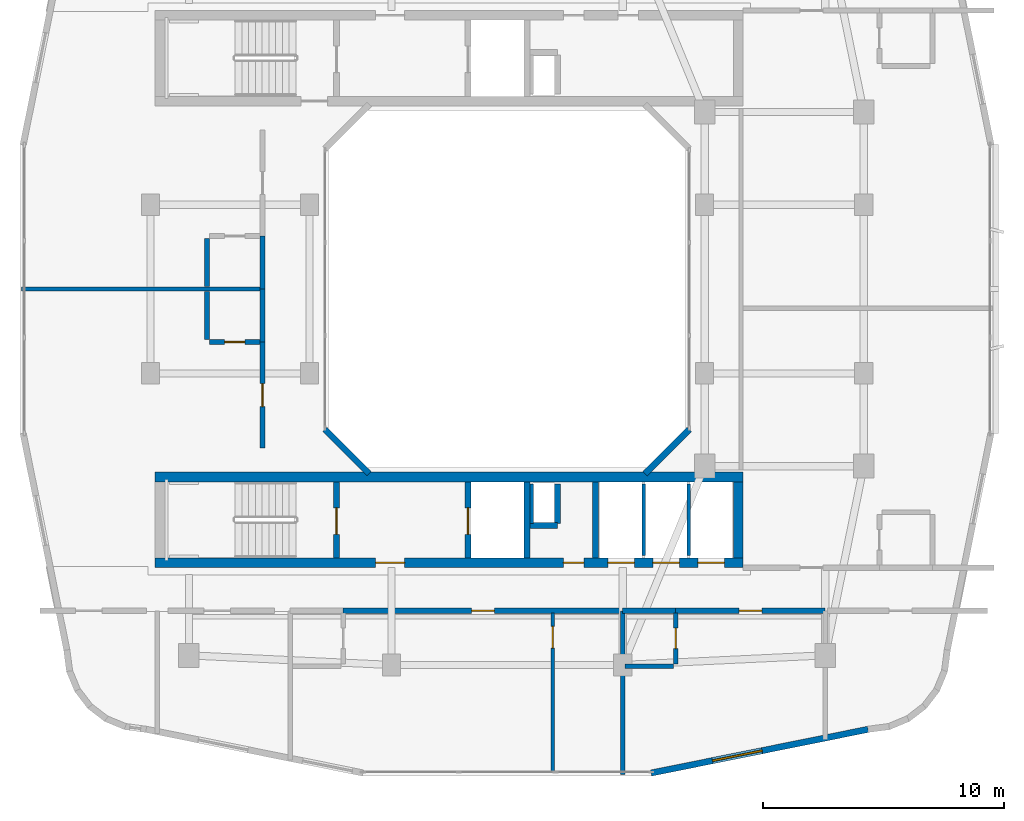
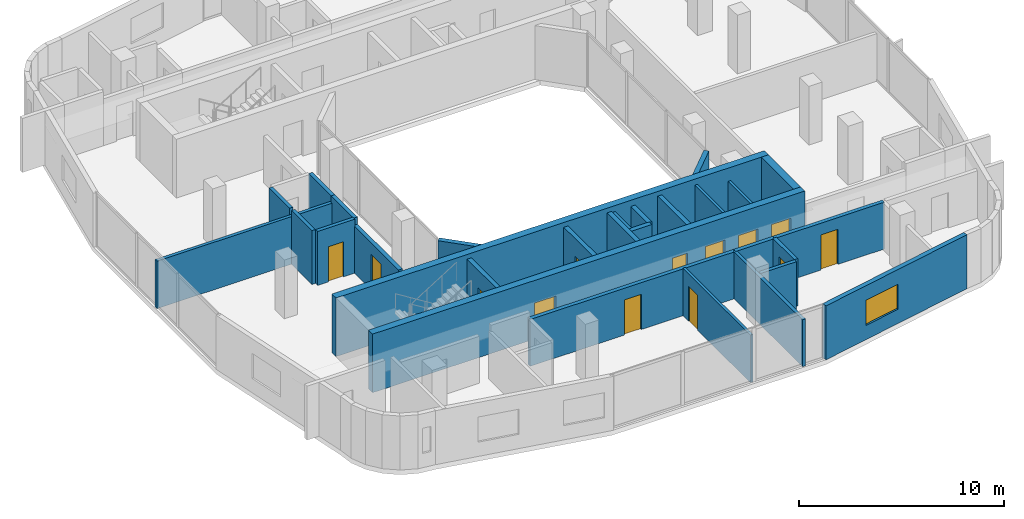
# One storey, part 7 of 14: 29 walls, 13 doors, 1 window, 14 openings.
"""IFC4 building model written with IfcOpenShell, lengths in metres."""

from ifc_helpers import new_model, si_unit, derived_unit, direction, frame, frame_2d, origin, place, context, subcontext, project, spatial, rectangle, extrude, material, layer, layer_set, type_object, element, fill, save


model = new_model("IFC4")

# Units and contexts
model_context = context("Model", 3, precision=1e-05, world=origin(), true_north=direction((0.0, 1.0)))
body_context = subcontext(model_context, "Body", "Model", "MODEL_VIEW")
ifc_project = project(units=[si_unit("LENGTHUNIT", "METRE"), si_unit("AREAUNIT", "SQUARE_METRE"), si_unit("VOLUMEUNIT", "CUBIC_METRE"), si_unit("PLANEANGLEUNIT", "RADIAN"), si_unit("MASSUNIT", "GRAM", prefix="KILO"), derived_unit("THERMALTRANSMITTANCEUNIT", [(si_unit("POWERUNIT", "WATT"), 1), (si_unit("LENGTHUNIT", "METRE"), -2), (si_unit("THERMODYNAMICTEMPERATUREUNIT", "KELVIN"), -1)])], contexts=[model_context])

# Site, building, storey
site_placement = place(None, origin())
site = spatial("IfcSite", under=ifc_project, at=site_placement, CompositionType="ELEMENT")
building_placement = place(site_placement, origin())
building = spatial("IfcBuilding", under=site, at=building_placement, Name="Kivonza Crest Hotel", CompositionType="ELEMENT")
storey_placement = place(building_placement, frame((0.0, 0.0, 159.0)))
storey = spatial("IfcBuildingStorey", under=building, at=storey_placement, Name="L43", CompositionType="ELEMENT", Elevation=159.0)

# Walls
ifc_material_1 = material(Name="High-density acoustic masonry inter-tenancy wall", Category="masonry")
ifc_layer_1 = layer(ifc_material_1, 0.179931640625)
ifc_layer_set_1 = layer_set([ifc_layer_1], Name="High-density acoustic masonry inter-tenancy wall")
wall_type_1 = type_object("IfcWallType", Name="WL-ACOU-180", PredefinedType="SOLIDWALL", material=ifc_layer_set_1)
wall_1_placement = place(storey_placement, frame((25.800048828125, 4.860107421875, 0.0), z_axis=(0.0, 0.0, 1.0), x_axis=(0.0, 1.0, 0.0)))
element("IfcWall", 1, at=wall_1_placement, inside=storey, type_object=wall_type_1, Name="L43 interior partition WA-L43-T1S-DIV2", PredefinedType="SOLIDWALL", context=body_context, shape_type="SweptSolid", body=[
    extrude(rectangle(XDim=6.789794921875, YDim=0.179931640625, at=frame_2d((3.39501953125, 0.0))), origin(), (0.0, 0.0, 1.0), 2.794921875),
])
wall_2_placement = place(storey_placement, frame((0.860107421875, 25.0, 0.0), z_axis=(0.0, 0.0, 1.0), x_axis=(1.0, 0.0, 0.0)))
element("IfcWall", 2, at=wall_2_placement, inside=storey, type_object=wall_type_1, Name="L43 interior partition WA-L43-T1W-DIV1", PredefinedType="SOLIDWALL", context=body_context, shape_type="SweptSolid", body=[
    extrude(rectangle(XDim=9.989990234375, YDim=0.179931640625, at=frame_2d((4.9951171875, 0.0))), origin(), (0.0, 0.0, 1.0), 2.8349609375),
])

# Wall, opening, door
ifc_material_2 = material(Name="Autoclaved aerated concrete blockwork", Category="masonry")
ifc_layer_2 = layer(ifc_material_2, 0.219970703125)
ifc_layer_set_2 = layer_set([ifc_layer_2], Name="Autoclaved aerated concrete blockwork")
wall_type_2 = type_object("IfcWallType", Name="WL-ACOU-220", PredefinedType="SOLIDWALL", material=ifc_layer_set_2)
wall_3_placement = place(storey_placement, frame((14.199951171875, 11.64990234375, 0.0), z_axis=(0.0, 0.0, 1.0), x_axis=(1.0, 0.0, 0.0)))
wall_3 = element("IfcWall", 3, at=wall_3_placement, inside=storey, type_object=wall_type_2, Name="L43 interior partition WA-L43-S05-MCORR", PredefinedType="SOLIDWALL", context=body_context, shape_type="SweptSolid", body=[
    extrude(rectangle(XDim=11.60009765625, YDim=0.219970703125, at=frame_2d((5.800048828125, 0.0))), origin(), (0.0, 0.0, 1.0), 2.794921875),
])
opening_1_placement = place(wall_3_placement, frame((5.324951171875, 0.0, 0.0)))
opening_1 = element("IfcOpeningElement", 4, at=opening_1_placement, cuts=wall_3, Name="Opening DU-60", PredefinedType="OPENING", context=body_context, shape_type="SweptSolid", body=[
    extrude(rectangle(XDim=0.949951171875, YDim=2.10009765625, at=frame_2d((0.47509765625, 1.050048828125))), frame((0.0, 0.1201171875, 0.0), z_axis=(0.0, -1.0, 0.0), x_axis=(1.0, 0.0, 0.0)), (0.0, 0.0, 1.0), 0.239990234375),
])
ifc_material_3 = material(Name="Hardwood timber oak", Category="wood")
door_type_1 = type_object("IfcDoorType", Name="DR-UNIT-950", OperationType="NOTDEFINED", PredefinedType="DOOR", material=ifc_material_3)
door_1_placement = place(opening_1_placement, frame((0.949951171875, 0.0, 0.0), z_axis=(0.0, 0.0, 1.0), x_axis=(-1.0, 0.0, 0.0)))
door_1 = element("IfcDoor", 5, at=door_1_placement, inside=storey, type_object=door_type_1, Name="L43 S05 guest unit entrance fire door", OperationType="SINGLE_SWING_LEFT", OverallHeight=2.10009765625, OverallWidth=0.949951171875, PredefinedType="DOOR", context=body_context, shape_type="SweptSolid", body=[
    extrude(rectangle(XDim=0.949951171875, YDim=2.10009765625, at=frame_2d((0.47509765625, 1.050048828125))), frame((0.0, 0.02490234375, 0.0), z_axis=(0.0, -1.0, 0.0), x_axis=(1.0, 0.0, 0.0)), (0.0, 0.0, 1.0), 0.050048828125),
])
fill(opening_1, door_1)

# Wall
wall_4_placement = place(storey_placement, frame((25.800048828125, 11.64990234375, 0.0), z_axis=(0.0, 0.0, 1.0), x_axis=(1.0, 0.0, 0.0)))
element("IfcWall", 6, at=wall_4_placement, inside=storey, type_object=wall_type_2, Name="L43 interior partition WA-L43-S06-BCORR", PredefinedType="SOLIDWALL", context=body_context, shape_type="SweptSolid", body=[
    extrude(rectangle(XDim=2.199951171875, YDim=0.219970703125, at=frame_2d((1.10009765625, 0.0))), origin(), (0.0, 0.0, 1.0), 2.794921875),
])

# Wall, opening, door
wall_5_placement = place(storey_placement, frame((28.0, 11.64990234375, 0.0), z_axis=(0.0, 0.0, 1.0), x_axis=(1.0, 0.0, 0.0)))
wall_5 = element("IfcWall", 7, at=wall_5_placement, inside=storey, type_object=wall_type_2, Name="L43 interior partition WA-L43-S06-MCORR", PredefinedType="SOLIDWALL", context=body_context, shape_type="SweptSolid", body=[
    extrude(rectangle(XDim=6.199951171875, YDim=0.219970703125, at=frame_2d((3.10009765625, 0.0))), origin(), (0.0, 0.0, 1.0), 2.794921875),
])
opening_2_placement = place(wall_5_placement, frame((2.625, 0.0, 0.0)))
opening_2 = element("IfcOpeningElement", 8, at=opening_2_placement, cuts=wall_5, Name="Opening DU-60", PredefinedType="OPENING", context=body_context, shape_type="SweptSolid", body=[
    extrude(rectangle(XDim=0.949951171875, YDim=2.10009765625, at=frame_2d((0.47509765625, 1.050048828125))), frame((0.0, 0.1201171875, 0.0), z_axis=(0.0, -1.0, 0.0), x_axis=(1.0, 0.0, 0.0)), (0.0, 0.0, 1.0), 0.239990234375),
])
door_2_placement = place(opening_2_placement, frame((0.949951171875, 0.0, 0.0), z_axis=(0.0, 0.0, 1.0), x_axis=(-1.0, 0.0, 0.0)))
door_2 = element("IfcDoor", 9, at=door_2_placement, inside=storey, type_object=door_type_1, Name="L43 S06 guest unit entrance fire door", OperationType="SINGLE_SWING_RIGHT", OverallHeight=2.10009765625, OverallWidth=0.949951171875, PredefinedType="DOOR", context=body_context, shape_type="SweptSolid", body=[
    extrude(rectangle(XDim=0.949951171875, YDim=2.10009765625, at=frame_2d((0.47509765625, 1.050048828125))), frame((0.0, 0.02490234375, 0.0), z_axis=(0.0, -1.0, 0.0), x_axis=(1.0, 0.0, 0.0)), (0.0, 0.0, 1.0), 0.050048828125),
])
fill(opening_2, door_2)

# Wall
wall_6_placement = place(storey_placement, frame((10.85009765625, 22.800048828125, 0.0), z_axis=(0.0, 0.0, 1.0), x_axis=(0.0, 1.0, 0.0)))
element("IfcWall", 10, at=wall_6_placement, inside=storey, type_object=wall_type_2, Name="L43 interior partition WA-L43-W07-BCORR", PredefinedType="SOLIDWALL", context=body_context, shape_type="SweptSolid", body=[
    extrude(rectangle(XDim=2.199951171875, YDim=0.219970703125, at=frame_2d((1.10009765625, 0.0))), origin(), (0.0, 0.0, 1.0), 3.219970703125),
])

# Wall, opening, door
wall_7_placement = place(storey_placement, frame((10.85009765625, 18.39990234375, 0.0), z_axis=(0.0, 0.0, 1.0), x_axis=(0.0, 1.0, 0.0)))
wall_7 = element("IfcWall", 11, at=wall_7_placement, inside=storey, type_object=wall_type_2, Name="L43 interior partition WA-L43-W07-MCORR", PredefinedType="SOLIDWALL", context=body_context, shape_type="SweptSolid", body=[
    extrude(rectangle(XDim=4.400146484375, YDim=0.219970703125, at=frame_2d((2.2001953125, 0.0))), origin(), (0.0, 0.0, 1.0), 2.794921875),
])
opening_3_placement = place(wall_7_placement, frame((1.72509765625, 0.0, 0.0)))
opening_3 = element("IfcOpeningElement", 12, at=opening_3_placement, cuts=wall_7, Name="Opening DU-60", PredefinedType="OPENING", context=body_context, shape_type="SweptSolid", body=[
    extrude(rectangle(XDim=0.949951171875, YDim=2.10009765625, at=frame_2d((0.47509765625, 1.050048828125))), frame((0.0, 0.1201171875, 0.0), z_axis=(0.0, -1.0, 0.0), x_axis=(1.0, 0.0, 0.0)), (0.0, 0.0, 1.0), 0.239990234375),
])
door_3_placement = place(opening_3_placement, origin())
door_3 = element("IfcDoor", 13, at=door_3_placement, inside=storey, type_object=door_type_1, Name="L43 W07 guest unit entrance fire door", OperationType="SINGLE_SWING_LEFT", OverallHeight=2.10009765625, OverallWidth=0.949951171875, PredefinedType="DOOR", context=body_context, shape_type="SweptSolid", body=[
    extrude(rectangle(XDim=0.949951171875, YDim=2.10009765625, at=frame_2d((0.47509765625, 1.050048828125))), frame((0.0, 0.02490234375, 0.0), z_axis=(0.0, -1.0, 0.0), x_axis=(1.0, 0.0, 0.0)), (0.0, 0.0, 1.0), 0.050048828125),
])
fill(opening_3, door_3)

# Wall
wall_8_placement = place(storey_placement, frame((10.85009765625, 25.0, 0.0), z_axis=(0.0, 0.0, 1.0), x_axis=(0.0, 1.0, 0.0)))
element("IfcWall", 14, at=wall_8_placement, inside=storey, type_object=wall_type_2, Name="L43 interior partition WA-L43-W08-BCORR", PredefinedType="SOLIDWALL", context=body_context, shape_type="SweptSolid", body=[
    extrude(rectangle(XDim=2.199951171875, YDim=0.219970703125, at=frame_2d((1.10009765625, 0.0))), origin(), (0.0, 0.0, 1.0), 3.219970703125),
])

# Wall, openings, doors
ifc_material_4 = material(Name="Concrete C50/60", Category="concrete")
ifc_layer_3 = layer(ifc_material_4, 0.39990234375)
ifc_layer_set_3 = layer_set([ifc_layer_3], Name="Concrete C50/60")
wall_type_3 = type_object("IfcWallType", Name="WL-CORE-400", PredefinedType="SHEAR", material=ifc_layer_set_3)
wall_9_placement = place(storey_placement, frame((6.39990234375, 13.639892578125, 0.0), z_axis=(0.0, 0.0, 1.0), x_axis=(1.0, 0.0, 0.0)))
wall_9 = element("IfcWall", 15, at=wall_9_placement, inside=storey, type_object=wall_type_3, Name="Core wall T1-S South L43", PredefinedType="SHEAR", context=body_context, shape_type="SweptSolid", body=[
    extrude(rectangle(XDim=24.400146484375, YDim=0.39990234375, at=frame_2d((12.2001953125, 0.0))), origin(), (0.0, 0.0, 1.0), 3.5),
])
opening_4_placement = place(wall_9_placement, frame((9.14990234375, 0.0, 0.0)))
opening_4 = element("IfcOpeningElement", 16, at=opening_4_placement, cuts=wall_9, Name="Opening DF-60", PredefinedType="OPENING", context=body_context, shape_type="SweptSolid", body=[
    extrude(rectangle(XDim=1.199951171875, YDim=2.14990234375, at=frame_2d((0.60009765625, 1.074951171875))), frame((0.0, 0.2099609375, 0.0), z_axis=(0.0, -1.0, 0.0), x_axis=(1.0, 0.0, 0.0)), (0.0, 0.0, 1.0), 0.419921875),
])
opening_5_placement = place(wall_9_placement, frame((16.93994140625, 0.0, 0.0)))
opening_5 = element("IfcOpeningElement", 17, at=opening_5_placement, cuts=wall_9, Name="Opening DF-60R", PredefinedType="OPENING", context=body_context, shape_type="SweptSolid", body=[
    extrude(rectangle(XDim=0.85009765625, YDim=2.10009765625, at=frame_2d((0.425048828125, 1.050048828125))), frame((0.0, 0.2099609375, 0.0), z_axis=(0.0, -1.0, 0.0), x_axis=(1.0, 0.0, 0.0)), (0.0, 0.0, 1.0), 0.419921875),
])
opening_6_placement = place(wall_9_placement, frame((18.782958984375, 0.0, 0.0)))
opening_6 = element("IfcOpeningElement", 18, at=opening_6_placement, cuts=wall_9, Name="Opening LD-120", PredefinedType="OPENING", context=body_context, shape_type="SweptSolid", body=[
    extrude(rectangle(XDim=1.10009765625, YDim=2.14990234375, at=frame_2d((0.550048828125, 1.074951171875))), frame((0.0, 0.2099609375, 0.0), z_axis=(0.0, -1.0, 0.0), x_axis=(1.0, 0.0, 0.0)), (0.0, 0.0, 1.0), 0.419921875),
])
opening_7_placement = place(wall_9_placement, frame((20.64990234375, 0.0, 0.0)))
opening_7 = element("IfcOpeningElement", 19, at=opening_7_placement, cuts=wall_9, Name="Opening LD-120", PredefinedType="OPENING", context=body_context, shape_type="SweptSolid", body=[
    extrude(rectangle(XDim=1.10009765625, YDim=2.14990234375, at=frame_2d((0.550048828125, 1.074951171875))), frame((0.0, 0.2099609375, 0.0), z_axis=(0.0, -1.0, 0.0), x_axis=(1.0, 0.0, 0.0)), (0.0, 0.0, 1.0), 0.419921875),
])
opening_8_placement = place(wall_9_placement, frame((22.51708984375, 0.0, 0.0)))
opening_8 = element("IfcOpeningElement", 20, at=opening_8_placement, cuts=wall_9, Name="Opening LD-120", PredefinedType="OPENING", context=body_context, shape_type="SweptSolid", body=[
    extrude(rectangle(XDim=1.10009765625, YDim=2.14990234375, at=frame_2d((0.550048828125, 1.074951171875))), frame((0.0, 0.2099609375, 0.0), z_axis=(0.0, -1.0, 0.0), x_axis=(1.0, 0.0, 0.0)), (0.0, 0.0, 1.0), 0.419921875),
])
door_type_2 = type_object("IfcDoorType", Name="DR-FD60-1200", OperationType="NOTDEFINED", PredefinedType="DOOR", material=ifc_material_3)
door_4_placement = place(opening_4_placement, frame((1.199951171875, 0.0, 0.0), z_axis=(0.0, 0.0, 1.0), x_axis=(-1.0, 0.0, 0.0)))
door_4 = element("IfcDoor", 21, at=door_4_placement, inside=storey, type_object=door_type_2, Name="L43 T1-S firefighting lobby fire door", OperationType="SINGLE_SWING_LEFT", OverallHeight=2.14990234375, OverallWidth=1.199951171875, PredefinedType="DOOR", context=body_context, shape_type="SweptSolid", body=[
    extrude(rectangle(XDim=1.199951171875, YDim=2.14990234375, at=frame_2d((0.60009765625, 1.074951171875))), frame((0.0, 0.02490234375, 0.0), z_axis=(0.0, -1.0, 0.0), x_axis=(1.0, 0.0, 0.0)), (0.0, 0.0, 1.0), 0.050048828125),
])
fill(opening_4, door_4)
door_type_3 = type_object("IfcDoorType", Name="DR-FD60-850", OperationType="NOTDEFINED", PredefinedType="DOOR", material=ifc_material_3)
door_5_placement = place(opening_5_placement, frame((0.85009765625, 0.0, 0.0), z_axis=(0.0, 0.0, 1.0), x_axis=(-1.0, 0.0, 0.0)))
door_5 = element("IfcDoor", 22, at=door_5_placement, inside=storey, type_object=door_type_3, Name="L43 T1-S core room door", OperationType="SINGLE_SWING_RIGHT", OverallHeight=2.10009765625, OverallWidth=0.85009765625, PredefinedType="DOOR", context=body_context, shape_type="SweptSolid", body=[
    extrude(rectangle(XDim=0.85009765625, YDim=2.10009765625, at=frame_2d((0.425048828125, 1.050048828125))), frame((0.0, 0.02490234375, 0.0), z_axis=(0.0, -1.0, 0.0), x_axis=(1.0, 0.0, 0.0)), (0.0, 0.0, 1.0), 0.050048828125),
])
fill(opening_5, door_5)
ifc_material_5 = material(Name="Stainless steel", Category="steel")
door_type_4 = type_object("IfcDoorType", Name="DR-LD120-1100", OperationType="NOTDEFINED", PredefinedType="DOOR", material=ifc_material_5)
door_6_placement = place(opening_6_placement, frame((1.10009765625, 0.0, 0.0), z_axis=(0.0, 0.0, 1.0), x_axis=(-1.0, 0.0, 0.0)))
door_6 = element("IfcDoor", 23, at=door_6_placement, inside=storey, type_object=door_type_4, Name="L43 PL-T1-H1 passenger lift sliding landing door", OperationType="DOUBLE_DOOR_SLIDING", OverallHeight=2.14990234375, OverallWidth=1.10009765625, PredefinedType="DOOR", context=body_context, shape_type="SweptSolid", body=[
    extrude(rectangle(XDim=1.10009765625, YDim=2.14990234375, at=frame_2d((0.550048828125, 1.074951171875))), frame((0.0, 0.02490234375, 0.0), z_axis=(0.0, -1.0, 0.0), x_axis=(1.0, 0.0, 0.0)), (0.0, 0.0, 1.0), 0.050048828125),
])
fill(opening_6, door_6)
door_7_placement = place(opening_7_placement, frame((1.10009765625, 0.0, 0.0), z_axis=(0.0, 0.0, 1.0), x_axis=(-1.0, 0.0, 0.0)))
door_7 = element("IfcDoor", 24, at=door_7_placement, inside=storey, type_object=door_type_4, Name="L43 PL-T1-H2 passenger lift sliding landing door", OperationType="DOUBLE_DOOR_SLIDING", OverallHeight=2.14990234375, OverallWidth=1.10009765625, PredefinedType="DOOR", context=body_context, shape_type="SweptSolid", body=[
    extrude(rectangle(XDim=1.10009765625, YDim=2.14990234375, at=frame_2d((0.550048828125, 1.074951171875))), frame((0.0, 0.02490234375, 0.0), z_axis=(0.0, -1.0, 0.0), x_axis=(1.0, 0.0, 0.0)), (0.0, 0.0, 1.0), 0.050048828125),
])
fill(opening_7, door_7)
door_8_placement = place(opening_8_placement, frame((1.10009765625, 0.0, 0.0), z_axis=(0.0, 0.0, 1.0), x_axis=(-1.0, 0.0, 0.0)))
door_8 = element("IfcDoor", 25, at=door_8_placement, inside=storey, type_object=door_type_4, Name="L43 PL-T1-H3 passenger lift sliding landing door", OperationType="DOUBLE_DOOR_SLIDING", OverallHeight=2.14990234375, OverallWidth=1.10009765625, PredefinedType="DOOR", context=body_context, shape_type="SweptSolid", body=[
    extrude(rectangle(XDim=1.10009765625, YDim=2.14990234375, at=frame_2d((0.550048828125, 1.074951171875))), frame((0.0, 0.02490234375, 0.0), z_axis=(0.0, -1.0, 0.0), x_axis=(1.0, 0.0, 0.0)), (0.0, 0.0, 1.0), 0.050048828125),
])
fill(opening_8, door_8)

# Walls
wall_10_placement = place(storey_placement, frame((6.39990234375, 17.199951171875, 0.0), z_axis=(0.0, 0.0, 1.0), x_axis=(1.0, 0.0, 0.0)))
element("IfcWall", 26, at=wall_10_placement, inside=storey, type_object=wall_type_3, Name="Core wall T1-S North L43", PredefinedType="SHEAR", context=body_context, shape_type="SweptSolid", body=[
    extrude(rectangle(XDim=24.400146484375, YDim=0.39990234375, at=frame_2d((12.2001953125, 0.0))), origin(), (0.0, 0.0, 1.0), 3.5),
])
wall_11_placement = place(storey_placement, frame((30.60009765625, 13.840087890625, 0.0), z_axis=(0.0, 0.0, 1.0), x_axis=(0.0, 1.0, 0.0)))
element("IfcWall", 27, at=wall_11_placement, inside=storey, type_object=wall_type_3, Name="Core wall T1-S East L43", PredefinedType="SHEAR", context=body_context, shape_type="SweptSolid", body=[
    extrude(rectangle(XDim=3.159912109375, YDim=0.39990234375, at=frame_2d((1.580078125, 0.0))), origin(), (0.0, 0.0, 1.0), 3.5),
])

# Wall, opening, window
ifc_material_6 = material(Name="Precast concrete C40/50", Category="concrete")
ifc_layer_4 = layer(ifc_material_6, 0.260009765625)
ifc_layer_set_4 = layer_set([ifc_layer_4], Name="Precast concrete C40/50")
wall_type_4 = type_object("IfcWallType", Name="WL-EXT-260", PredefinedType="STANDARD", material=ifc_layer_set_4)
wall_12_placement = place(storey_placement, frame((26.97998046875, 4.916015625, 0.0), z_axis=(0.0, 0.0, 1.0), x_axis=(0.980315963543, 0.197435082048, 0.0)))
wall_12 = element("IfcWall", 28, at=wall_12_placement, inside=storey, type_object=wall_type_4, Name="L43 T1 exterior insulated wall 9", PredefinedType="STANDARD", context=body_context, shape_type="SweptSolid", body=[
    extrude(rectangle(XDim=9.1826171875, YDim=0.260009765625, at=frame_2d((4.59130859375, 0.0))), origin(), (0.0, 0.0, 1.0), 3.219970703125),
])
opening_9_placement = place(wall_12_placement, frame((2.594970703125, 0.0, 0.85009765625)))
opening_9 = element("IfcOpeningElement", 29, at=opening_9_placement, cuts=wall_12, Name="Opening WN-04", PredefinedType="OPENING", context=body_context, shape_type="SweptSolid", body=[
    extrude(rectangle(XDim=2.10009765625, YDim=1.5, at=frame_2d((1.050048828125, 0.75))), frame((0.0, 0.14013671875, 0.0), z_axis=(0.0, -1.0, 0.0), x_axis=(1.0, 0.0, 0.0)), (0.0, 0.0, 1.0), 0.280029296875),
])
ifc_material_7 = material(Name="Thermally broken bronze aluminium and low-E double glazing", Category="aluminium")
window_type = type_object("IfcWindowType", Name="WN-210x150", PartitioningType="DOUBLE_PANEL_VERTICAL", PredefinedType="WINDOW", material=ifc_material_7)
window_placement = place(opening_9_placement, origin())
window = element("IfcWindow", 30, at=window_placement, inside=storey, type_object=window_type, Name="L43 T1 facade window 9", OverallHeight=1.5, OverallWidth=2.10009765625, PartitioningType="SINGLE_PANEL", PredefinedType="WINDOW", context=body_context, shape_type="SweptSolid", body=[
    extrude(rectangle(XDim=2.10009765625, YDim=1.5, at=frame_2d((1.050048828125, 0.75))), frame((0.0, 0.030029296875, 0.0), z_axis=(0.0, -1.0, 0.0), x_axis=(1.0, 0.0, 0.0)), (0.0, 0.0, 1.0), 0.06005859375),
])
fill(opening_9, window)

# Walls
for number, where, z_axis, x_axis, name in (
    (31, (26.721923828125, 17.337890625, 0.0), (0.0, 0.0, 1.0), (0.707059717605, 0.707153841636, 0.0), "L43 T1 light-well exterior wall 2"),
    (32, (13.444091796875, 19.172119140625, 0.0), (0.0, 0.0, 1.0), (0.707059717605, -0.707153841636, 0.0), "L43 T1 light-well exterior wall 8"),
):
    element("IfcWall", number, at=place(storey_placement, frame(where, z_axis=z_axis, x_axis=x_axis)), inside=storey, type_object=wall_type_4, Name=name, PredefinedType="STANDARD", context=body_context, shape_type="SweptSolid", body=[
        extrude(rectangle(XDim=2.59375, YDim=0.260009765625, at=frame_2d((1.296875, 0.0))), origin(), (0.0, 0.0, 1.0), 3.219970703125),
    ])
ifc_material_8 = material(Name="Concrete blockwork fire-compartment wall", Category="masonry")
ifc_layer_5 = layer(ifc_material_8, 0.25)
ifc_layer_set_5 = layer_set([ifc_layer_5], Name="Concrete blockwork fire-compartment wall")
wall_type_5 = type_object("IfcWallType", Name="WL-FIRE-250", PredefinedType="SOLIDWALL", material=ifc_layer_set_5)
wall_13_placement = place(storey_placement, frame((23.10009765625, 15.280029296875, 0.0), z_axis=(0.0, 0.0, 1.0), x_axis=(0.0, 1.0, 0.0)))
element("IfcWall", 33, at=wall_13_placement, inside=storey, type_object=wall_type_5, Name="L43 interior partition WA-L43-T1-S-MEPR-E", PredefinedType="SOLIDWALL", context=body_context, shape_type="SweptSolid", body=[
    extrude(rectangle(XDim=1.619873046875, YDim=0.25, at=frame_2d((0.81005859375, 0.0))), origin(), (0.0, 0.0, 1.0), 3.219970703125),
])
wall_14_placement = place(storey_placement, frame((21.949951171875, 15.179931640625, 0.0), z_axis=(0.0, 0.0, 1.0), x_axis=(1.0, 0.0, 0.0)))
element("IfcWall", 34, at=wall_14_placement, inside=storey, type_object=wall_type_5, Name="L43 interior partition WA-L43-T1-S-MEPR-H", PredefinedType="SOLIDWALL", context=body_context, shape_type="SweptSolid", body=[
    extrude(rectangle(XDim=1.150146484375, YDim=0.25, at=frame_2d((0.5751953125, 0.0))), origin(), (0.0, 0.0, 1.0), 3.219970703125),
])
ifc_material_9 = material(Name="Twin-stud acoustic gypsum board partition", Category="gypsum")
ifc_layer_6 = layer(ifc_material_9, 0.14990234375)
ifc_layer_set_6 = layer_set([ifc_layer_6], Name="Twin-stud acoustic gypsum board partition")
wall_type_6 = type_object("IfcWallType", Name="WL-PART-150", PredefinedType="PARTITIONING", material=ifc_layer_set_6)
wall_15_placement = place(storey_placement, frame((22.030029296875, 15.280029296875, 0.0), z_axis=(0.0, 0.0, 1.0), x_axis=(0.0, 1.0, 0.0)))
element("IfcWall", 35, at=wall_15_placement, inside=storey, type_object=wall_type_6, Name="L43 interior partition WA-L43-T1-S-MEPR-W", PredefinedType="PARTITIONING", context=body_context, shape_type="SweptSolid", body=[
    extrude(rectangle(XDim=1.619873046875, YDim=0.14990234375, at=frame_2d((0.81005859375, 0.0))), origin(), (0.0, 0.0, 1.0), 3.219970703125),
])
wall_16_placement = place(storey_placement, frame((26.6669921875, 13.93994140625, 0.0), z_axis=(0.0, 0.0, 1.0), x_axis=(0.0, 1.0, 0.0)))
element("IfcWall", 36, at=wall_16_placement, inside=storey, type_object=wall_type_6, Name="L43 interior partition WP-L43-T1-S-BSH-1", PredefinedType="PARTITIONING", context=body_context, shape_type="SweptSolid", body=[
    extrude(rectangle(XDim=2.9599609375, YDim=0.14990234375, at=frame_2d((1.47998046875, 0.0))), origin(), (0.0, 0.0, 1.0), 3.219970703125),
])
wall_17_placement = place(storey_placement, frame((28.532958984375, 13.93994140625, 0.0), z_axis=(0.0, 0.0, 1.0), x_axis=(0.0, 1.0, 0.0)))
element("IfcWall", 37, at=wall_17_placement, inside=storey, type_object=wall_type_6, Name="L43 interior partition WP-L43-T1-S-BSH-2", PredefinedType="PARTITIONING", context=body_context, shape_type="SweptSolid", body=[
    extrude(rectangle(XDim=2.9599609375, YDim=0.14990234375, at=frame_2d((1.47998046875, 0.0))), origin(), (0.0, 0.0, 1.0), 2.794921875),
])

# Wall, opening, door
wall_18_placement = place(storey_placement, frame((22.89990234375, 4.9599609375, 0.0), z_axis=(0.0, 0.0, 1.0), x_axis=(0.0, 1.0, 0.0)))
wall_18 = element("IfcWall", 38, at=wall_18_placement, inside=storey, type_object=wall_type_6, Name="L43 interior partition WP-L43-S05-SPSP", PredefinedType="PARTITIONING", context=body_context, shape_type="SweptSolid", body=[
    extrude(rectangle(XDim=6.590087890625, YDim=0.14990234375, at=frame_2d((3.294921875, 0.0))), origin(), (0.0, 0.0, 1.0), 2.8349609375),
])
opening_10_placement = place(wall_18_placement, frame((5.139892578125, 0.0, 0.0)))
opening_10 = element("IfcOpeningElement", 39, at=opening_10_placement, cuts=wall_18, Name="Opening DI-90", PredefinedType="OPENING", context=body_context, shape_type="SweptSolid", body=[
    extrude(rectangle(XDim=0.89990234375, YDim=2.10009765625, at=frame_2d((0.449951171875, 1.050048828125))), frame((0.0, 0.0849609375, 0.0), z_axis=(0.0, -1.0, 0.0), x_axis=(1.0, 0.0, 0.0)), (0.0, 0.0, 1.0), 0.169921875),
])
door_type_5 = type_object("IfcDoorType", Name="DR-INT-900", OperationType="NOTDEFINED", PredefinedType="DOOR", material=ifc_material_3)
door_9_placement = place(opening_10_placement, origin())
door_9 = element("IfcDoor", 40, at=door_9_placement, inside=storey, type_object=door_type_5, Name="L43 S05 suite bedroom door", OperationType="SINGLE_SWING_RIGHT", OverallHeight=2.10009765625, OverallWidth=0.89990234375, PredefinedType="DOOR", context=body_context, shape_type="SweptSolid", body=[
    extrude(rectangle(XDim=0.89990234375, YDim=2.10009765625, at=frame_2d((0.449951171875, 1.050048828125))), frame((0.0, 0.02490234375, 0.0), z_axis=(0.0, -1.0, 0.0), x_axis=(1.0, 0.0, 0.0)), (0.0, 0.0, 1.0), 0.050048828125),
])
fill(opening_10, door_9)

ifc_material_10 = material(Name="Moisture-resistant plumbing chase partition wall", Category="gypsum")
ifc_layer_7 = layer(ifc_material_10, 0.199951171875)
ifc_layer_set_7 = layer_set([ifc_layer_7], Name="Moisture-resistant plumbing chase partition wall")
wall_type_7 = type_object("IfcWallType", Name="WL-PLUMB-200", PredefinedType="PLUMBINGWALL", material=ifc_layer_set_7)
wall_19_placement = place(storey_placement, frame((28.0, 9.449951171875, 0.0), z_axis=(0.0, 0.0, 1.0), x_axis=(0.0, 1.0, 0.0)))
wall_19 = element("IfcWall", 41, at=wall_19_placement, inside=storey, type_object=wall_type_7, Name="L43 interior partition WW-L43-S06-BV", PredefinedType="PLUMBINGWALL", context=body_context, shape_type="SweptSolid", body=[
    extrude(rectangle(XDim=2.10009765625, YDim=0.199951171875, at=frame_2d((1.050048828125, 0.0))), origin(), (0.0, 0.0, 1.0), 2.8349609375),
])
opening_11_placement = place(wall_19_placement, frame((0.625, 0.0, 0.0)))
opening_11 = element("IfcOpeningElement", 42, at=opening_11_placement, cuts=wall_19, Name="Opening DI-85", PredefinedType="OPENING", context=body_context, shape_type="SweptSolid", body=[
    extrude(rectangle(XDim=0.85009765625, YDim=2.10009765625, at=frame_2d((0.425048828125, 1.050048828125))), frame((0.0, 0.10986328125, 0.0), z_axis=(0.0, -1.0, 0.0), x_axis=(1.0, 0.0, 0.0)), (0.0, 0.0, 1.0), 0.219970703125),
])
door_type_6 = type_object("IfcDoorType", Name="DR-INT-850", OperationType="NOTDEFINED", PredefinedType="DOOR", material=ifc_material_3)
door_10_placement = place(opening_11_placement, frame((0.85009765625, 0.0, 0.0), z_axis=(0.0, 0.0, 1.0), x_axis=(-1.0, 0.0, 0.0)))
door_10 = element("IfcDoor", 43, at=door_10_placement, inside=storey, type_object=door_type_6, Name="L43 S06 en-suite bathroom door", OperationType="SINGLE_SWING_LEFT", OverallHeight=2.10009765625, OverallWidth=0.85009765625, PredefinedType="DOOR", context=body_context, shape_type="SweptSolid", body=[
    extrude(rectangle(XDim=0.85009765625, YDim=2.10009765625, at=frame_2d((0.425048828125, 1.050048828125))), frame((0.0, 0.02490234375, 0.0), z_axis=(0.0, -1.0, 0.0), x_axis=(1.0, 0.0, 0.0)), (0.0, 0.0, 1.0), 0.050048828125),
])
fill(opening_11, door_10)

# Wall
wall_20_placement = place(storey_placement, frame((25.89990234375, 9.35009765625, 0.0), z_axis=(0.0, 0.0, 1.0), x_axis=(1.0, 0.0, 0.0)))
element("IfcWall", 44, at=wall_20_placement, inside=storey, type_object=wall_type_7, Name="L43 interior partition WW-L43-S06-BH", PredefinedType="PLUMBINGWALL", context=body_context, shape_type="SweptSolid", body=[
    extrude(rectangle(XDim=2.0, YDim=0.199951171875, at=frame_2d((1.0, 0.0))), origin(), (0.0, 0.0, 1.0), 2.8349609375),
])

# Wall, opening, door
wall_21_placement = place(storey_placement, frame((8.64990234375, 22.800048828125, 0.0), z_axis=(0.0, 0.0, 1.0), x_axis=(1.0, 0.0, 0.0)))
wall_21 = element("IfcWall", 45, at=wall_21_placement, inside=storey, type_object=wall_type_7, Name="L43 interior partition WW-L43-W07-BH", PredefinedType="PLUMBINGWALL", context=body_context, shape_type="SweptSolid", body=[
    extrude(rectangle(XDim=2.10009765625, YDim=0.199951171875, at=frame_2d((1.050048828125, 0.0))), origin(), (0.0, 0.0, 1.0), 3.219970703125),
])
opening_12_placement = place(wall_21_placement, frame((0.625, 0.0, 0.0)))
opening_12 = element("IfcOpeningElement", 46, at=opening_12_placement, cuts=wall_21, Name="Opening DI-85", PredefinedType="OPENING", context=body_context, shape_type="SweptSolid", body=[
    extrude(rectangle(XDim=0.85009765625, YDim=2.10009765625, at=frame_2d((0.425048828125, 1.050048828125))), frame((0.0, 0.10986328125, 0.0), z_axis=(0.0, -1.0, 0.0), x_axis=(1.0, 0.0, 0.0)), (0.0, 0.0, 1.0), 0.219970703125),
])
door_11_placement = place(opening_12_placement, frame((0.85009765625, 0.0, 0.0), z_axis=(0.0, 0.0, 1.0), x_axis=(-1.0, 0.0, 0.0)))
door_11 = element("IfcDoor", 47, at=door_11_placement, inside=storey, type_object=door_type_6, Name="L43 W07 en-suite bathroom door", OperationType="SINGLE_SWING_RIGHT", OverallHeight=2.10009765625, OverallWidth=0.85009765625, PredefinedType="DOOR", context=body_context, shape_type="SweptSolid", body=[
    extrude(rectangle(XDim=0.85009765625, YDim=2.10009765625, at=frame_2d((0.425048828125, 1.050048828125))), frame((0.0, 0.02490234375, 0.0), z_axis=(0.0, -1.0, 0.0), x_axis=(1.0, 0.0, 0.0)), (0.0, 0.0, 1.0), 0.050048828125),
])
fill(opening_12, door_11)

# Walls
for number, where, z_axis, x_axis, name in (
    (48, (8.550048828125, 22.89990234375, 0.0), (0.0, 0.0, 1.0), (0.0, 1.0, 0.0), "L43 interior partition WW-L43-W07-BV"),
    (49, (8.550048828125, 25.10009765625, 0.0), (0.0, 0.0, 1.0), (0.0, 1.0, 0.0), "L43 interior partition WW-L43-W08-BV"),
):
    element("IfcWall", number, at=place(storey_placement, frame(where, z_axis=z_axis, x_axis=x_axis)), inside=storey, type_object=wall_type_7, Name=name, PredefinedType="PLUMBINGWALL", context=body_context, shape_type="SweptSolid", body=[
        extrude(rectangle(XDim=2.0, YDim=0.199951171875, at=frame_2d((1.0, 0.0))), origin(), (0.0, 0.0, 1.0), 3.219970703125),
    ])

# Wall, opening, door
ifc_layer_8 = layer(ifc_material_4, 0.25)
ifc_layer_set_8 = layer_set([ifc_layer_8], Name="Concrete C50/60")
wall_type_8 = type_object("IfcWallType", Name="WL-SHAFT-250", PredefinedType="STANDARD", material=ifc_layer_set_8)
wall_22_placement = place(storey_placement, frame((13.925048828125, 13.840087890625, 0.0), z_axis=(0.0, 0.0, 1.0), x_axis=(0.0, 1.0, 0.0)))
wall_22 = element("IfcWall", 50, at=wall_22_placement, inside=storey, type_object=wall_type_8, Name="Core shaft wall T1-S STAIR L43", PredefinedType="STANDARD", context=body_context, shape_type="SweptSolid", body=[
    extrude(rectangle(XDim=3.159912109375, YDim=0.25, at=frame_2d((1.580078125, 0.0))), origin(), (0.0, 0.0, 1.0), 3.219970703125),
])
opening_13_placement = place(wall_22_placement, frame((0.97998046875, 0.0, 0.0)))
opening_13 = element("IfcOpeningElement", 51, at=opening_13_placement, cuts=wall_22, Name="Opening DF-120", PredefinedType="OPENING", context=body_context, shape_type="SweptSolid", body=[
    extrude(rectangle(XDim=1.10009765625, YDim=2.14990234375, at=frame_2d((0.550048828125, 1.074951171875))), frame((0.0, 0.135009765625, 0.0), z_axis=(0.0, -1.0, 0.0), x_axis=(1.0, 0.0, 0.0)), (0.0, 0.0, 1.0), 0.27001953125),
])
ifc_material_11 = material(Name="Galvanised steel", Category="steel")
door_type_7 = type_object("IfcDoorType", Name="DR-FD120-1100", OperationType="NOTDEFINED", PredefinedType="DOOR", material=ifc_material_11)
door_12_placement = place(opening_13_placement, frame((1.10009765625, 0.0, 0.0), z_axis=(0.0, 0.0, 1.0), x_axis=(-1.0, 0.0, 0.0)))
door_12 = element("IfcDoor", 52, at=door_12_placement, inside=storey, type_object=door_type_7, Name="L43 T1-S stair fire door", OperationType="SINGLE_SWING_RIGHT", OverallHeight=2.14990234375, OverallWidth=1.10009765625, PredefinedType="DOOR", context=body_context, shape_type="SweptSolid", body=[
    extrude(rectangle(XDim=1.10009765625, YDim=2.14990234375, at=frame_2d((0.550048828125, 1.074951171875))), frame((0.0, 0.02490234375, 0.0), z_axis=(0.0, -1.0, 0.0), x_axis=(1.0, 0.0, 0.0)), (0.0, 0.0, 1.0), 0.050048828125),
])
fill(opening_13, door_12)

wall_23_placement = place(storey_placement, frame((19.375, 13.840087890625, 0.0), z_axis=(0.0, 0.0, 1.0), x_axis=(0.0, 1.0, 0.0)))
wall_23 = element("IfcWall", 53, at=wall_23_placement, inside=storey, type_object=wall_type_8, Name="Core shaft wall T1-S FFL-W L43", PredefinedType="STANDARD", context=body_context, shape_type="SweptSolid", body=[
    extrude(rectangle(XDim=3.159912109375, YDim=0.25, at=frame_2d((1.580078125, 0.0))), origin(), (0.0, 0.0, 1.0), 3.219970703125),
])
opening_14_placement = place(wall_23_placement, frame((0.97998046875, 0.0, 0.0)))
opening_14 = element("IfcOpeningElement", 54, at=opening_14_placement, cuts=wall_23, Name="Opening LD-120", PredefinedType="OPENING", context=body_context, shape_type="SweptSolid", body=[
    extrude(rectangle(XDim=1.10009765625, YDim=2.14990234375, at=frame_2d((0.550048828125, 1.074951171875))), frame((0.0, 0.135009765625, 0.0), z_axis=(0.0, -1.0, 0.0), x_axis=(1.0, 0.0, 0.0)), (0.0, 0.0, 1.0), 0.27001953125),
])
door_13_placement = place(opening_14_placement, origin())
door_13 = element("IfcDoor", 55, at=door_13_placement, inside=storey, type_object=door_type_4, Name="L43 FFL-T1-S firefighting lift sliding landing door", OperationType="DOUBLE_DOOR_SLIDING", OverallHeight=2.14990234375, OverallWidth=1.10009765625, PredefinedType="DOOR", context=body_context, shape_type="SweptSolid", body=[
    extrude(rectangle(XDim=1.10009765625, YDim=2.14990234375, at=frame_2d((0.550048828125, 1.074951171875))), frame((0.0, 0.02490234375, 0.0), z_axis=(0.0, -1.0, 0.0), x_axis=(1.0, 0.0, 0.0)), (0.0, 0.0, 1.0), 0.050048828125),
])
fill(opening_14, door_13)

# Walls
for number, where, z_axis, x_axis, name in (
    (56, (21.824951171875, 13.840087890625, 0.0), (0.0, 0.0, 1.0), (0.0, 1.0, 0.0), "Core shaft wall T1-S FFL-E L43"),
    (57, (24.675048828125, 13.840087890625, 0.0), (0.0, 0.0, 1.0), (0.0, 1.0, 0.0), "Core shaft wall T1-S BANK-W L43"),
):
    element("IfcWall", number, at=place(storey_placement, frame(where, z_axis=z_axis, x_axis=x_axis)), inside=storey, type_object=wall_type_8, Name=name, PredefinedType="STANDARD", context=body_context, shape_type="SweptSolid", body=[
        extrude(rectangle(XDim=3.159912109375, YDim=0.25, at=frame_2d((1.580078125, 0.0))), origin(), (0.0, 0.0, 1.0), 3.219970703125),
    ])

save(model, "model.ifc")
